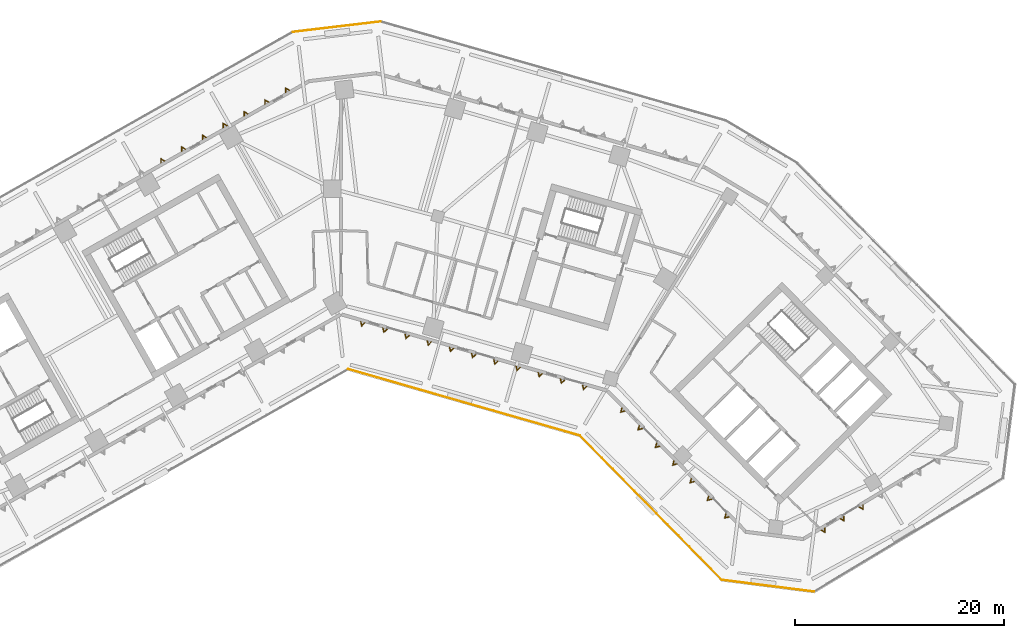
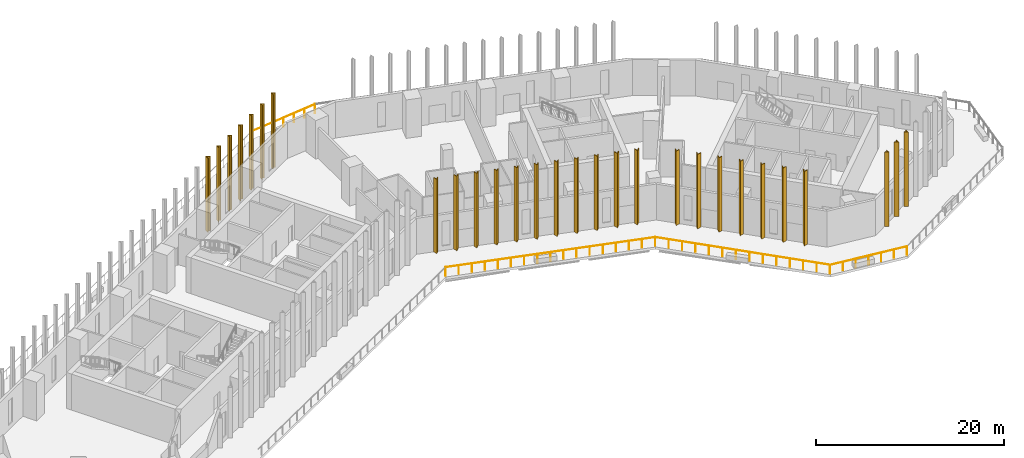
# One storey, part 14 of 17: 28 shading devices, 4 railings.
"""IFC4 building model written with IfcOpenShell, lengths in metres."""

from ifc_helpers import new_model, si_unit, direction, frame, origin, origin_2d, place, context, subcontext, project, spatial, polyline, circle, outline, extrude, material, type_object, element, save


model = new_model("IFC4")

# Units and contexts
model_context = context("Model", 3, precision=1e-05, world=origin(), true_north=direction((0.0, 1.0)))
body_context = subcontext(model_context, "Body", "Model", "MODEL_VIEW")
ifc_project = project(units=[si_unit("LENGTHUNIT", "METRE"), si_unit("AREAUNIT", "SQUARE_METRE"), si_unit("VOLUMEUNIT", "CUBIC_METRE"), si_unit("PLANEANGLEUNIT", "RADIAN"), si_unit("MASSUNIT", "GRAM", prefix="KILO")], contexts=[model_context])

# Site, building, storey
site_placement = place(None, origin())
site = spatial("IfcSite", under=ifc_project, at=site_placement, CompositionType="ELEMENT")
building_placement = place(site_placement, origin())
building = spatial("IfcBuilding", under=site, at=building_placement, Name="Binnacle Exchange Tower", CompositionType="ELEMENT")
storey_placement = place(building_placement, frame((0.0, 0.0, 26.5)))
storey = spatial("IfcBuildingStorey", under=building, at=storey_placement, Name="L05", CompositionType="ELEMENT", Elevation=26.5)

# Railings
ifc_material_1 = material(Name="Bronze anodised aluminium frame", Category="aluminium")
railing_type = type_object("IfcRailingType", Name="GUARD 1200", PredefinedType="GUARDRAIL", material=ifc_material_1)
railing_1_placement = place(storey_placement, frame((3.763427734375, 75.96630859375, 0.0)))
element("IfcRailing", 1, at=railing_1_placement, inside=storey, type_object=railing_type, Name="Terrace guard 3 Terrace P", PredefinedType="GUARDRAIL", context=body_context, shape_type="SweptSolid", body=[
    extrude(circle(Radius=0.02392578125, at=origin_2d()), frame((0.0, 0.0, 1.17578125), z_axis=(-0.99306968843, -0.117526992311, 0.0), x_axis=(0.117526992311, -0.99306968843, 0.0)), (0.0, 0.0, 1.0), 8.406982421875),
    extrude(circle(Radius=0.02099609375, at=origin_2d()), origin(), (0.0, 0.0, 1.0), 1.15185546875),
    extrude(circle(Radius=0.02099609375, at=origin_2d()), frame((-1.391357421875, -0.16455078125, 0.0)), (0.0, 0.0, 1.0), 1.15185546875),
    extrude(circle(Radius=0.02099609375, at=origin_2d()), frame((-2.782958984375, -0.329345703125, 0.0)), (0.0, 0.0, 1.0), 1.15185546875),
    extrude(circle(Radius=0.02099609375, at=origin_2d()), frame((-4.17431640625, -0.494140625, 0.0)), (0.0, 0.0, 1.0), 1.15185546875),
    extrude(circle(Radius=0.02099609375, at=origin_2d()), frame((-5.565673828125, -0.65869140625, 0.0)), (0.0, 0.0, 1.0), 1.15185546875),
    extrude(circle(Radius=0.02099609375, at=origin_2d()), frame((-6.957275390625, -0.8232421875, 0.0)), (0.0, 0.0, 1.0), 1.15185546875),
    extrude(circle(Radius=0.02099609375, at=origin_2d()), frame((-8.3486328125, -0.988037109375, 0.0)), (0.0, 0.0, 1.0), 1.15185546875),
])
railing_2_placement = place(storey_placement, frame((0.6787109375, 42.760009765625, 0.0)))
element("IfcRailing", 2, at=railing_2_placement, inside=storey, type_object=railing_type, Name="Terrace guard 9 Terrace P", PredefinedType="GUARDRAIL", context=body_context, shape_type="SweptSolid", body=[
    extrude(circle(Radius=0.02392578125, at=origin_2d()), frame((0.0, 0.0, 1.17578125), z_axis=(0.961259685009, -0.275644368666, 0.0), x_axis=(0.275644368666, 0.961259685009, 0.0)), (0.0, 0.0, 1.0), 23.0478515625),
    extrude(circle(Radius=0.02099609375, at=origin_2d()), origin(), (0.0, 0.0, 1.0), 1.15185546875),
    extrude(circle(Radius=0.02099609375, at=origin_2d()), frame((1.384765625, -0.39697265625, 0.0)), (0.0, 0.0, 1.0), 1.15185546875),
    extrude(circle(Radius=0.02099609375, at=origin_2d()), frame((2.769287109375, -0.794189453125, 0.0)), (0.0, 0.0, 1.0), 1.15185546875),
    extrude(circle(Radius=0.02099609375, at=origin_2d()), frame((4.154052734375, -1.191162109375, 0.0)), (0.0, 0.0, 1.0), 1.15185546875),
    extrude(circle(Radius=0.02099609375, at=origin_2d()), frame((5.538818359375, -1.58837890625, 0.0)), (0.0, 0.0, 1.0), 1.15185546875),
    extrude(circle(Radius=0.02099609375, at=origin_2d()), frame((6.92333984375, -1.9853515625, 0.0)), (0.0, 0.0, 1.0), 1.15185546875),
    extrude(circle(Radius=0.02099609375, at=origin_2d()), frame((8.30810546875, -2.38232421875, 0.0)), (0.0, 0.0, 1.0), 1.15185546875),
    extrude(circle(Radius=0.02099609375, at=origin_2d()), frame((9.69287109375, -2.779541015625, 0.0)), (0.0, 0.0, 1.0), 1.15185546875),
    extrude(circle(Radius=0.02099609375, at=origin_2d()), frame((11.07763671875, -3.176513671875, 0.0)), (0.0, 0.0, 1.0), 1.15185546875),
    extrude(circle(Radius=0.02099609375, at=origin_2d()), frame((12.462158203125, -3.573486328125, 0.0)), (0.0, 0.0, 1.0), 1.15185546875),
    extrude(circle(Radius=0.02099609375, at=origin_2d()), frame((13.846923828125, -3.970703125, 0.0)), (0.0, 0.0, 1.0), 1.15185546875),
    extrude(circle(Radius=0.02099609375, at=origin_2d()), frame((15.231689453125, -4.36767578125, 0.0)), (0.0, 0.0, 1.0), 1.15185546875),
    extrude(circle(Radius=0.02099609375, at=origin_2d()), frame((16.6162109375, -4.7646484375, 0.0)), (0.0, 0.0, 1.0), 1.15185546875),
    extrude(circle(Radius=0.02099609375, at=origin_2d()), frame((18.0009765625, -5.161865234375, 0.0)), (0.0, 0.0, 1.0), 1.15185546875),
    extrude(circle(Radius=0.02099609375, at=origin_2d()), frame((19.3857421875, -5.558837890625, 0.0)), (0.0, 0.0, 1.0), 1.15185546875),
    extrude(circle(Radius=0.02099609375, at=origin_2d()), frame((20.770263671875, -5.9560546875, 0.0)), (0.0, 0.0, 1.0), 1.15185546875),
    extrude(circle(Radius=0.02099609375, at=origin_2d()), frame((22.155029296875, -6.35302734375, 0.0)), (0.0, 0.0, 1.0), 1.15185546875),
])
railing_3_placement = place(storey_placement, frame((22.833740234375, 36.406982421875, 0.0)))
element("IfcRailing", 3, at=railing_3_placement, inside=storey, type_object=railing_type, Name="Terrace guard 10 Terrace P", PredefinedType="GUARDRAIL", context=body_context, shape_type="SweptSolid", body=[
    extrude(circle(Radius=0.02392578125, at=origin_2d()), frame((0.0, 0.0, 1.17578125), z_axis=(0.701628892106, -0.712542558562, 0.0), x_axis=(0.712542558562, 0.701628892106, 0.0)), (0.0, 0.0, 1.0), 19.35009765625),
    extrude(circle(Radius=0.02099609375, at=origin_2d()), origin(), (0.0, 0.0, 1.0), 1.15185546875),
    extrude(circle(Radius=0.02099609375, at=origin_2d()), frame((1.04443359375, -1.060546875, 0.0)), (0.0, 0.0, 1.0), 1.15185546875),
    extrude(circle(Radius=0.02099609375, at=origin_2d()), frame((2.088623046875, -2.12109375, 0.0)), (0.0, 0.0, 1.0), 1.15185546875),
    extrude(circle(Radius=0.02099609375, at=origin_2d()), frame((3.133056640625, -3.181884765625, 0.0)), (0.0, 0.0, 1.0), 1.15185546875),
    extrude(circle(Radius=0.02099609375, at=origin_2d()), frame((4.177490234375, -4.242431640625, 0.0)), (0.0, 0.0, 1.0), 1.15185546875),
    extrude(circle(Radius=0.02099609375, at=origin_2d()), frame((5.2216796875, -5.302978515625, 0.0)), (0.0, 0.0, 1.0), 1.15185546875),
    extrude(circle(Radius=0.02099609375, at=origin_2d()), frame((6.26611328125, -6.363525390625, 0.0)), (0.0, 0.0, 1.0), 1.15185546875),
    extrude(circle(Radius=0.02099609375, at=origin_2d()), frame((7.310546875, -7.42431640625, 0.0)), (0.0, 0.0, 1.0), 1.15185546875),
    extrude(circle(Radius=0.02099609375, at=origin_2d()), frame((8.35498046875, -8.48486328125, 0.0)), (0.0, 0.0, 1.0), 1.15185546875),
    extrude(circle(Radius=0.02099609375, at=origin_2d()), frame((9.399169921875, -9.54541015625, 0.0)), (0.0, 0.0, 1.0), 1.15185546875),
    extrude(circle(Radius=0.02099609375, at=origin_2d()), frame((10.443603515625, -10.60595703125, 0.0)), (0.0, 0.0, 1.0), 1.15185546875),
    extrude(circle(Radius=0.02099609375, at=origin_2d()), frame((11.488037109375, -11.666748046875, 0.0)), (0.0, 0.0, 1.0), 1.15185546875),
    extrude(circle(Radius=0.02099609375, at=origin_2d()), frame((12.5322265625, -12.727294921875, 0.0)), (0.0, 0.0, 1.0), 1.15185546875),
    extrude(circle(Radius=0.02099609375, at=origin_2d()), frame((13.57666015625, -13.787841796875, 0.0)), (0.0, 0.0, 1.0), 1.15185546875),
])
railing_4_placement = place(storey_placement, frame((36.410400390625, 22.619140625, 0.0)))
element("IfcRailing", 4, at=railing_4_placement, inside=storey, type_object=railing_type, Name="Terrace guard 11 Terrace P", PredefinedType="GUARDRAIL", context=body_context, shape_type="SweptSolid", body=[
    extrude(circle(Radius=0.02392578125, at=origin_2d()), frame((0.0, 0.0, 1.17578125), z_axis=(0.99200594068, -0.126191178989, 0.0), x_axis=(0.126191178989, 0.99200594068, 0.0)), (0.0, 0.0, 1.0), 8.86083984375),
    extrude(circle(Radius=0.02099609375, at=origin_2d()), origin(), (0.0, 0.0, 1.0), 1.15185546875),
    extrude(circle(Radius=0.02099609375, at=origin_2d()), frame((1.465087890625, -0.186279296875, 0.0)), (0.0, 0.0, 1.0), 1.15185546875),
    extrude(circle(Radius=0.02099609375, at=origin_2d()), frame((2.929931640625, -0.372802734375, 0.0)), (0.0, 0.0, 1.0), 1.15185546875),
    extrude(circle(Radius=0.02099609375, at=origin_2d()), frame((4.39501953125, -0.55908203125, 0.0)), (0.0, 0.0, 1.0), 1.15185546875),
    extrude(circle(Radius=0.02099609375, at=origin_2d()), frame((5.860107421875, -0.745361328125, 0.0)), (0.0, 0.0, 1.0), 1.15185546875),
    extrude(circle(Radius=0.02099609375, at=origin_2d()), frame((7.324951171875, -0.931884765625, 0.0)), (0.0, 0.0, 1.0), 1.15185546875),
    extrude(circle(Radius=0.02099609375, at=origin_2d()), frame((8.7900390625, -1.1181640625, 0.0)), (0.0, 0.0, 1.0), 1.15185546875),
])

# Shading devices
ifc_material_2 = material(Name="Bronze aluminium cladding", Category="aluminium")
shading_device_type = type_object("IfcShadingDeviceType", Name="V FIN 433 DEEP x 9680 HIGH", PredefinedType="USERDEFINED", material=ifc_material_2)
shading_device_1_placement = place(storey_placement, origin())
element("IfcShadingDevice", 5, at=shading_device_1_placement, inside=storey, type_object=shading_device_type, Name="V fin FN-F03-01 L05", ObjectType="FIN", PredefinedType="USERDEFINED", context=body_context, shape_type="SweptSolid", body=[
    extrude(outline(polyline([(-4.88916015625, 69.40625), (-5.31982421875, 69.659912109375), (-5.32421875, 69.159912109375), (-5.243896484375, 69.20556640625), (-5.2412109375, 69.520751953125), (-4.969482421875, 69.360595703125), (-4.88916015625, 69.40625)])), origin(), (0.0, 0.0, 1.0), 9.679931640625),
])
shading_device_2_placement = place(storey_placement, origin())
element("IfcShadingDevice", 6, at=shading_device_2_placement, inside=storey, type_object=shading_device_type, Name="V fin FN-F03-02 L05", ObjectType="FIN", PredefinedType="USERDEFINED", context=body_context, shape_type="SweptSolid", body=[
    extrude(outline(polyline([(-6.87548828125, 68.2822265625), (-7.306396484375, 68.5361328125), (-7.310791015625, 68.0361328125), (-7.23046875, 68.08154296875), (-7.2275390625, 68.396728515625), (-6.9560546875, 68.23681640625), (-6.87548828125, 68.2822265625)])), origin(), (0.0, 0.0, 1.0), 9.679931640625),
])
shading_device_3_placement = place(storey_placement, origin())
element("IfcShadingDevice", 7, at=shading_device_3_placement, inside=storey, type_object=shading_device_type, Name="V fin FN-F03-03 L05", ObjectType="FIN", PredefinedType="USERDEFINED", context=body_context, shape_type="SweptSolid", body=[
    extrude(outline(polyline([(-8.862060546875, 67.158203125), (-9.29296875, 67.412109375), (-9.29736328125, 66.912109375), (-9.216796875, 66.95751953125), (-9.214111328125, 67.272705078125), (-8.9423828125, 67.11279296875), (-8.862060546875, 67.158203125)])), origin(), (0.0, 0.0, 1.0), 9.679931640625),
])
shading_device_4_placement = place(storey_placement, origin())
element("IfcShadingDevice", 8, at=shading_device_4_placement, inside=storey, type_object=shading_device_type, Name="V fin FN-F03-04 L05", ObjectType="FIN", PredefinedType="USERDEFINED", context=body_context, shape_type="SweptSolid", body=[
    extrude(outline(polyline([(-10.8486328125, 66.034423828125), (-11.279541015625, 66.2880859375), (-11.283935546875, 65.7880859375), (-11.20361328125, 65.833740234375), (-11.20068359375, 66.14892578125), (-10.92919921875, 65.989013671875), (-10.8486328125, 66.034423828125)])), origin(), (0.0, 0.0, 1.0), 9.679931640625),
])
shading_device_5_placement = place(storey_placement, origin())
element("IfcShadingDevice", 9, at=shading_device_5_placement, inside=storey, type_object=shading_device_type, Name="V fin FN-F03-05 L05", ObjectType="FIN", PredefinedType="USERDEFINED", context=body_context, shape_type="SweptSolid", body=[
    extrude(outline(polyline([(-12.835205078125, 64.910400390625), (-13.26611328125, 65.164306640625), (-13.2705078125, 64.664306640625), (-13.18994140625, 64.709716796875), (-13.187255859375, 65.02490234375), (-12.91552734375, 64.864990234375), (-12.835205078125, 64.910400390625)])), origin(), (0.0, 0.0, 1.0), 9.679931640625),
])
shading_device_6_placement = place(storey_placement, origin())
element("IfcShadingDevice", 10, at=shading_device_6_placement, inside=storey, type_object=shading_device_type, Name="V fin FN-F03-06 L05", ObjectType="FIN", PredefinedType="USERDEFINED", context=body_context, shape_type="SweptSolid", body=[
    extrude(outline(polyline([(-14.82177734375, 63.78662109375), (-15.252685546875, 64.040283203125), (-15.257080078125, 63.540283203125), (-15.176513671875, 63.585693359375), (-15.173828125, 63.90087890625), (-14.902099609375, 63.740966796875), (-14.82177734375, 63.78662109375)])), origin(), (0.0, 0.0, 1.0), 9.679931640625),
])
shading_device_7_placement = place(storey_placement, origin())
element("IfcShadingDevice", 11, at=shading_device_7_placement, inside=storey, type_object=shading_device_type, Name="V fin FN-F03-07 L05", ObjectType="FIN", PredefinedType="USERDEFINED", context=body_context, shape_type="SweptSolid", body=[
    extrude(outline(polyline([(-16.808349609375, 62.66259765625), (-17.239013671875, 62.91650390625), (-17.243408203125, 62.41650390625), (-17.1630859375, 62.4619140625), (-17.160400390625, 62.777099609375), (-16.888671875, 62.6171875), (-16.808349609375, 62.66259765625)])), origin(), (0.0, 0.0, 1.0), 9.679931640625),
])
shading_device_8_placement = place(storey_placement, origin())
element("IfcShadingDevice", 12, at=shading_device_8_placement, inside=storey, type_object=shading_device_type, Name="V fin FN-F08-01 L05", ObjectType="FIN", PredefinedType="USERDEFINED", context=body_context, shape_type="SweptSolid", body=[
    extrude(outline(polyline([(1.837890625, 47.31689453125), (1.958984375, 46.831787109375), (2.318603515625, 47.17919921875), (2.229736328125, 47.20458984375), (2.003173828125, 46.985595703125), (1.9267578125, 47.29150390625), (1.837890625, 47.31689453125)])), origin(), (0.0, 0.0, 1.0), 9.679931640625),
])
shading_device_9_placement = place(storey_placement, origin())
element("IfcShadingDevice", 13, at=shading_device_9_placement, inside=storey, type_object=shading_device_type, Name="V fin FN-F08-02 L05", ObjectType="FIN", PredefinedType="USERDEFINED", context=body_context, shape_type="SweptSolid", body=[
    extrude(outline(polyline([(3.957763671875, 46.708984375), (4.07861328125, 46.22412109375), (4.438232421875, 46.5712890625), (4.349609375, 46.5966796875), (4.122802734375, 46.377685546875), (4.04638671875, 46.68359375), (3.957763671875, 46.708984375)])), origin(), (0.0, 0.0, 1.0), 9.679931640625),
])
shading_device_10_placement = place(storey_placement, origin())
element("IfcShadingDevice", 14, at=shading_device_10_placement, inside=storey, type_object=shading_device_type, Name="V fin FN-F08-03 L05", ObjectType="FIN", PredefinedType="USERDEFINED", context=body_context, shape_type="SweptSolid", body=[
    extrude(outline(polyline([(6.077392578125, 46.101318359375), (6.1982421875, 45.6162109375), (6.55810546875, 45.96337890625), (6.46923828125, 45.989013671875), (6.242431640625, 45.77001953125), (6.166259765625, 46.07568359375), (6.077392578125, 46.101318359375)])), origin(), (0.0, 0.0, 1.0), 9.679931640625),
])
shading_device_11_placement = place(storey_placement, origin())
element("IfcShadingDevice", 15, at=shading_device_11_placement, inside=storey, type_object=shading_device_type, Name="V fin FN-F08-04 L05", ObjectType="FIN", PredefinedType="USERDEFINED", context=body_context, shape_type="SweptSolid", body=[
    extrude(outline(polyline([(8.197021484375, 45.493408203125), (8.318115234375, 45.00830078125), (8.677734375, 45.355712890625), (8.5888671875, 45.381103515625), (8.3623046875, 45.162109375), (8.285888671875, 45.468017578125), (8.197021484375, 45.493408203125)])), origin(), (0.0, 0.0, 1.0), 9.679931640625),
])
shading_device_12_placement = place(storey_placement, origin())
element("IfcShadingDevice", 16, at=shading_device_12_placement, inside=storey, type_object=shading_device_type, Name="V fin FN-F08-05 L05", ObjectType="FIN", PredefinedType="USERDEFINED", context=body_context, shape_type="SweptSolid", body=[
    extrude(outline(polyline([(10.316650390625, 44.8857421875), (10.4375, 44.400634765625), (10.79736328125, 44.747802734375), (10.70849609375, 44.7734375), (10.481689453125, 44.554443359375), (10.405517578125, 44.860107421875), (10.316650390625, 44.8857421875)])), origin(), (0.0, 0.0, 1.0), 9.679931640625),
])
shading_device_13_placement = place(storey_placement, origin())
element("IfcShadingDevice", 17, at=shading_device_13_placement, inside=storey, type_object=shading_device_type, Name="V fin FN-F08-06 L05", ObjectType="FIN", PredefinedType="USERDEFINED", context=body_context, shape_type="SweptSolid", body=[
    extrude(outline(polyline([(12.436279296875, 44.27783203125), (12.557373046875, 43.792724609375), (12.9169921875, 44.14013671875), (12.828125, 44.16552734375), (12.6015625, 43.946533203125), (12.525146484375, 44.25244140625), (12.436279296875, 44.27783203125)])), origin(), (0.0, 0.0, 1.0), 9.679931640625),
])
shading_device_14_placement = place(storey_placement, origin())
element("IfcShadingDevice", 18, at=shading_device_14_placement, inside=storey, type_object=shading_device_type, Name="V fin FN-F08-07 L05", ObjectType="FIN", PredefinedType="USERDEFINED", context=body_context, shape_type="SweptSolid", body=[
    extrude(outline(polyline([(14.55615234375, 43.670166015625), (14.677001953125, 43.18505859375), (15.03662109375, 43.5322265625), (14.947998046875, 43.557861328125), (14.72119140625, 43.3388671875), (14.64501953125, 43.64453125), (14.55615234375, 43.670166015625)])), origin(), (0.0, 0.0, 1.0), 9.679931640625),
])
shading_device_15_placement = place(storey_placement, origin())
element("IfcShadingDevice", 19, at=shading_device_15_placement, inside=storey, type_object=shading_device_type, Name="V fin FN-F08-08 L05", ObjectType="FIN", PredefinedType="USERDEFINED", context=body_context, shape_type="SweptSolid", body=[
    extrude(outline(polyline([(16.67578125, 43.062255859375), (16.796630859375, 42.5771484375), (17.156494140625, 42.924560546875), (17.067626953125, 42.949951171875), (16.8408203125, 42.73095703125), (16.7646484375, 43.036865234375), (16.67578125, 43.062255859375)])), origin(), (0.0, 0.0, 1.0), 9.679931640625),
])
shading_device_16_placement = place(storey_placement, origin())
element("IfcShadingDevice", 20, at=shading_device_16_placement, inside=storey, type_object=shading_device_type, Name="V fin FN-F08-09 L05", ObjectType="FIN", PredefinedType="USERDEFINED", context=body_context, shape_type="SweptSolid", body=[
    extrude(outline(polyline([(18.79541015625, 42.454345703125), (18.91650390625, 41.96923828125), (19.276123046875, 42.316650390625), (19.187255859375, 42.342041015625), (18.960693359375, 42.123046875), (18.88427734375, 42.428955078125), (18.79541015625, 42.454345703125)])), origin(), (0.0, 0.0, 1.0), 9.679931640625),
])
shading_device_17_placement = place(storey_placement, origin())
element("IfcShadingDevice", 21, at=shading_device_17_placement, inside=storey, type_object=shading_device_type, Name="V fin FN-F08-10 L05", ObjectType="FIN", PredefinedType="USERDEFINED", context=body_context, shape_type="SweptSolid", body=[
    extrude(outline(polyline([(20.9150390625, 41.8466796875), (21.035888671875, 41.361572265625), (21.395751953125, 41.708740234375), (21.306884765625, 41.734375), (21.080078125, 41.515380859375), (21.00390625, 41.821044921875), (20.9150390625, 41.8466796875)])), origin(), (0.0, 0.0, 1.0), 9.679931640625),
])
shading_device_18_placement = place(storey_placement, origin())
element("IfcShadingDevice", 22, at=shading_device_18_placement, inside=storey, type_object=shading_device_type, Name="V fin FN-F08-11 L05", ObjectType="FIN", PredefinedType="USERDEFINED", context=body_context, shape_type="SweptSolid", body=[
    extrude(outline(polyline([(23.034912109375, 41.23876953125), (23.15576171875, 40.753662109375), (23.515380859375, 41.10107421875), (23.426513671875, 41.12646484375), (23.199951171875, 40.907470703125), (23.12353515625, 41.21337890625), (23.034912109375, 41.23876953125)])), origin(), (0.0, 0.0, 1.0), 9.679931640625),
])
shading_device_19_placement = place(storey_placement, origin())
element("IfcShadingDevice", 23, at=shading_device_19_placement, inside=storey, type_object=shading_device_type, Name="V fin FN-F09-01 L05", ObjectType="FIN", PredefinedType="USERDEFINED", context=body_context, shape_type="SweptSolid", body=[
    extrude(outline(polyline([(26.810791015625, 39.093505859375), (26.677001953125, 38.61181640625), (27.1611328125, 38.73681640625), (27.096435546875, 38.802734375), (26.791259765625, 38.723876953125), (26.87548828125, 39.027587890625), (26.810791015625, 39.093505859375)])), origin(), (0.0, 0.0, 1.0), 9.679931640625),
])
shading_device_20_placement = place(storey_placement, origin())
element("IfcShadingDevice", 24, at=shading_device_20_placement, inside=storey, type_object=shading_device_type, Name="V fin FN-F09-02 L05", ObjectType="FIN", PredefinedType="USERDEFINED", context=body_context, shape_type="SweptSolid", body=[
    extrude(outline(polyline([(28.467529296875, 37.407470703125), (28.333984375, 36.925537109375), (28.818115234375, 37.05078125), (28.75341796875, 37.11669921875), (28.447998046875, 37.03759765625), (28.5322265625, 37.341552734375), (28.467529296875, 37.407470703125)])), origin(), (0.0, 0.0, 1.0), 9.679931640625),
])
shading_device_21_placement = place(storey_placement, origin())
element("IfcShadingDevice", 25, at=shading_device_21_placement, inside=storey, type_object=shading_device_type, Name="V fin FN-F09-03 L05", ObjectType="FIN", PredefinedType="USERDEFINED", context=body_context, shape_type="SweptSolid", body=[
    extrude(outline(polyline([(30.12451171875, 35.721435546875), (29.99072265625, 35.23974609375), (30.474853515625, 35.364990234375), (30.41015625, 35.430908203125), (30.10498046875, 35.351806640625), (30.189208984375, 35.655517578125), (30.12451171875, 35.721435546875)])), origin(), (0.0, 0.0, 1.0), 9.679931640625),
])
shading_device_22_placement = place(storey_placement, origin())
element("IfcShadingDevice", 26, at=shading_device_22_placement, inside=storey, type_object=shading_device_type, Name="V fin FN-F09-04 L05", ObjectType="FIN", PredefinedType="USERDEFINED", context=body_context, shape_type="SweptSolid", body=[
    extrude(outline(polyline([(31.78125, 34.035400390625), (31.647705078125, 33.5537109375), (32.131591796875, 33.6787109375), (32.06689453125, 33.74462890625), (31.76171875, 33.665771484375), (31.845947265625, 33.969482421875), (31.78125, 34.035400390625)])), origin(), (0.0, 0.0, 1.0), 9.679931640625),
])
shading_device_23_placement = place(storey_placement, origin())
element("IfcShadingDevice", 27, at=shading_device_23_placement, inside=storey, type_object=shading_device_type, Name="V fin FN-F09-05 L05", ObjectType="FIN", PredefinedType="USERDEFINED", context=body_context, shape_type="SweptSolid", body=[
    extrude(outline(polyline([(33.43798828125, 32.349365234375), (33.304443359375, 31.86767578125), (33.78857421875, 31.992919921875), (33.723876953125, 32.05859375), (33.418701171875, 31.979736328125), (33.502685546875, 32.283447265625), (33.43798828125, 32.349365234375)])), origin(), (0.0, 0.0, 1.0), 9.679931640625),
])
shading_device_24_placement = place(storey_placement, origin())
element("IfcShadingDevice", 28, at=shading_device_24_placement, inside=storey, type_object=shading_device_type, Name="V fin FN-F09-06 L05", ObjectType="FIN", PredefinedType="USERDEFINED", context=body_context, shape_type="SweptSolid", body=[
    extrude(outline(polyline([(35.094970703125, 30.663330078125), (34.96142578125, 30.181640625), (35.4453125, 30.306884765625), (35.380615234375, 30.372802734375), (35.075439453125, 30.293701171875), (35.15966796875, 30.597412109375), (35.094970703125, 30.663330078125)])), origin(), (0.0, 0.0, 1.0), 9.679931640625),
])
shading_device_25_placement = place(storey_placement, origin())
element("IfcShadingDevice", 29, at=shading_device_25_placement, inside=storey, type_object=shading_device_type, Name="V fin FN-F09-07 L05", ObjectType="FIN", PredefinedType="USERDEFINED", context=body_context, shape_type="SweptSolid", body=[
    extrude(outline(polyline([(36.751708984375, 28.977294921875), (36.6181640625, 28.49560546875), (37.102294921875, 28.620849609375), (37.03759765625, 28.686767578125), (36.732421875, 28.607666015625), (36.81640625, 28.91162109375), (36.751708984375, 28.977294921875)])), origin(), (0.0, 0.0, 1.0), 9.679931640625),
])
shading_device_26_placement = place(storey_placement, origin())
element("IfcShadingDevice", 30, at=shading_device_26_placement, inside=storey, type_object=shading_device_type, Name="V fin FN-F11-01 L05", ObjectType="FIN", PredefinedType="USERDEFINED", context=body_context, shape_type="SweptSolid", body=[
    extrude(outline(polyline([(45.82861328125, 27.361572265625), (46.265869140625, 27.119140625), (46.257080078125, 27.619140625), (46.177978515625, 27.571533203125), (46.183349609375, 27.25634765625), (45.90771484375, 27.4091796875), (45.82861328125, 27.361572265625)])), origin(), (0.0, 0.0, 1.0), 9.679931640625),
])
shading_device_27_placement = place(storey_placement, origin())
element("IfcShadingDevice", 31, at=shading_device_27_placement, inside=storey, type_object=shading_device_type, Name="V fin FN-F11-02 L05", ObjectType="FIN", PredefinedType="USERDEFINED", context=body_context, shape_type="SweptSolid", body=[
    extrude(outline(polyline([(47.64990234375, 28.4560546875), (48.08740234375, 28.213623046875), (48.07861328125, 28.713623046875), (47.99951171875, 28.666015625), (48.0048828125, 28.350830078125), (47.729248046875, 28.503662109375), (47.64990234375, 28.4560546875)])), origin(), (0.0, 0.0, 1.0), 9.679931640625),
])
shading_device_28_placement = place(storey_placement, origin())
element("IfcShadingDevice", 32, at=shading_device_28_placement, inside=storey, type_object=shading_device_type, Name="V fin FN-F11-03 L05", ObjectType="FIN", PredefinedType="USERDEFINED", context=body_context, shape_type="SweptSolid", body=[
    extrude(outline(polyline([(49.471435546875, 29.550537109375), (49.90869140625, 29.30810546875), (49.900146484375, 29.80810546875), (49.82080078125, 29.760498046875), (49.826416015625, 29.4453125), (49.55078125, 29.59814453125), (49.471435546875, 29.550537109375)])), origin(), (0.0, 0.0, 1.0), 9.679931640625),
])

save(model, "model.ifc")
